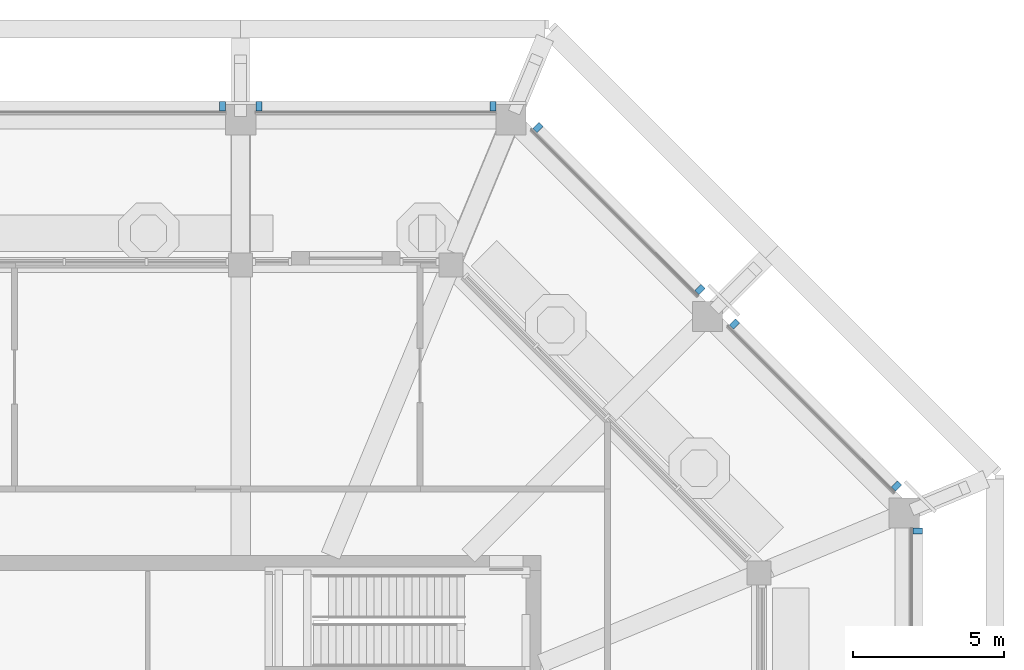
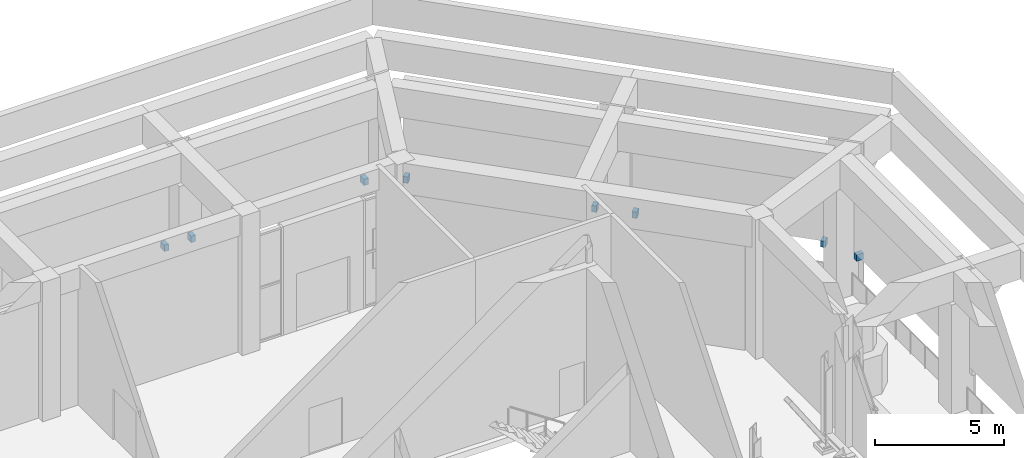
# One storey, part 26 of 29: 8 discrete accessories.
"""IFC4 building model written with IfcOpenShell, lengths in metres."""

from ifc_helpers import new_model, si_unit, direction, frame, origin, origin_2d, place, context, subcontext, project, spatial, rectangle, extrude, material, type_object, element, save


model = new_model("IFC4")

# Units and contexts
model_context = context("Model", 3, precision=1e-05, world=origin(), true_north=direction((0.0, 1.0)))
body_context = subcontext(model_context, "Body", "Model", "MODEL_VIEW")
ifc_project = project(units=[si_unit("LENGTHUNIT", "METRE"), si_unit("AREAUNIT", "SQUARE_METRE"), si_unit("VOLUMEUNIT", "CUBIC_METRE"), si_unit("PLANEANGLEUNIT", "RADIAN"), si_unit("MASSUNIT", "GRAM", prefix="KILO")], contexts=[model_context])

# Site, building, storey
site_placement = place(None, origin())
site = spatial("IfcSite", under=ifc_project, at=site_placement, CompositionType="ELEMENT")
building_placement = place(site_placement, origin())
building = spatial("IfcBuilding", under=site, at=building_placement, Name="Msitu Wima Residences", CompositionType="ELEMENT")
storey_placement = place(building_placement, frame((0.0, 0.0, 320.10009765625)))
storey = spatial("IfcBuildingStorey", under=building, at=storey_placement, Name="L74", CompositionType="ELEMENT", Elevation=320.10009765625)

# Discrete accessories
ifc_material = material(Name="Steel S355, galvanised", Category="steel")
discrete_accessory_type = type_object("IfcDiscreteAccessoryType", Name="Screen support bracket SB200", PredefinedType="BRACKET", material=ifc_material)
for number, where, z_axis, x_axis, name in (
    (1, (26.85009765625, 12.805908203125, 1.69970703125), (0.0, 0.0, 1.0), (0.0, 1.0, 0.0), "Screen support bracket E2B"),
    (2, (26.1474609375, 14.294677734375, 1.69970703125), (0.0, 0.0, 1.0), (-0.707106781187, 0.707106781187, 0.0), "Screen support bracket NE0A"),
    (3, (20.791748046875, 19.650390625, 1.69970703125), (0.0, 0.0, 1.0), (-0.707106781187, 0.707106781187, 0.0), "Screen support bracket NE0B"),
    (4, (19.650390625, 20.791748046875, 1.69970703125), (0.0, 0.0, 1.0), (-0.707106781187, 0.707106781187, 0.0), "Screen support bracket NE1A"),
    (5, (14.294677734375, 26.1474609375, 1.69970703125), (0.0, 0.0, 1.0), (-0.707106781187, 0.707106781187, 0.0), "Screen support bracket NE1B"),
    (6, (12.805908203125, 26.85009765625, 1.69970703125), (0.0, 0.0, 1.0), (-1.0, 0.0, 0.0), "Screen support bracket N0A"),
    (7, (5.068603515625, 26.85009765625, 1.69970703125), (0.0, 0.0, 1.0), (-1.0, 0.0, 0.0), "Screen support bracket N0B"),
    (8, (3.86865234375, 26.85009765625, 1.69970703125), (0.0, 0.0, 1.0), (-1.0, 0.0, 0.0), "Screen support bracket N1A"),
):
    element("IfcDiscreteAccessory", number, at=place(storey_placement, frame(where, z_axis=z_axis, x_axis=x_axis)), inside=storey, type_object=discrete_accessory_type, Name=name, PredefinedType="BRACKET", context=body_context, shape_type="SweptSolid", body=[
        extrude(rectangle(XDim=0.199951171875, YDim=0.300048828125, at=origin_2d()), origin(), (0.0, 0.0, 1.0), 0.300048828125),
    ])

save(model, "model.ifc")
